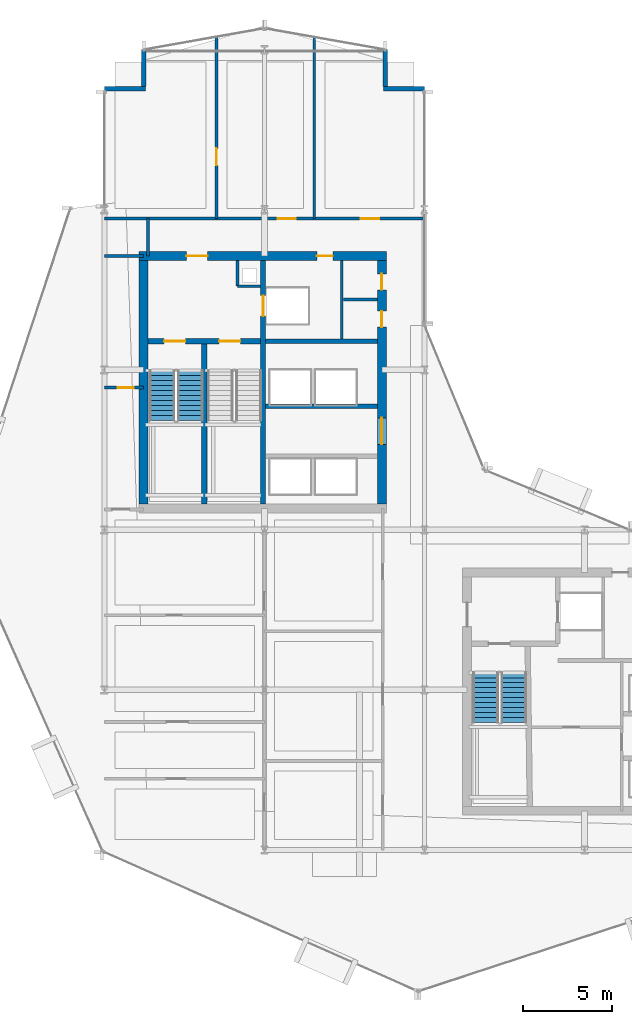
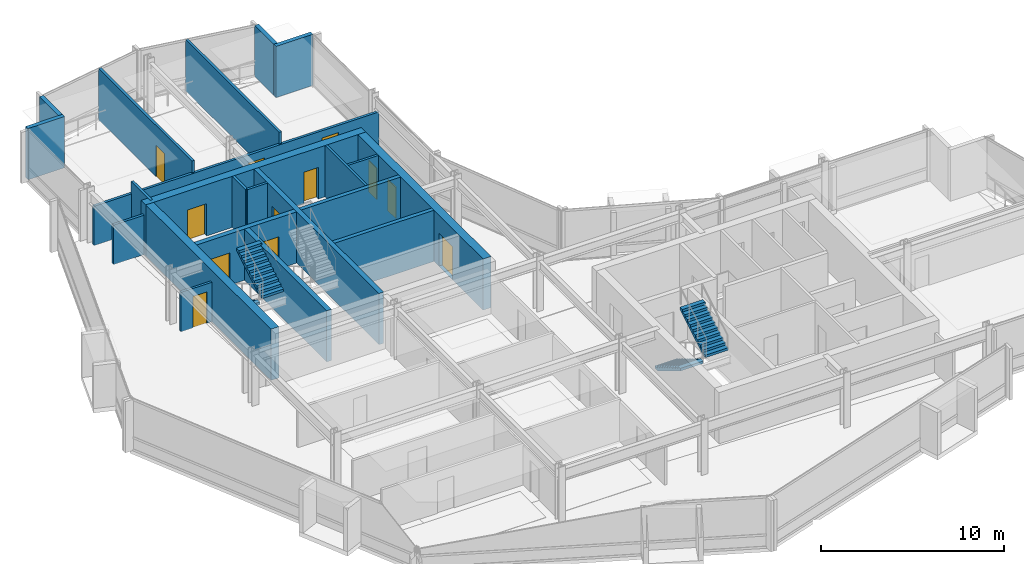
# One storey, part 23 of 29: 22 walls, 12 doors, 4 stair flights, 12 openings, 2 elements without a shape of their own.
"""IFC4 building model written with IfcOpenShell, lengths in metres."""

from ifc_helpers import new_model, si_unit, direction, frame, frame_2d, origin, place, context, subcontext, project, spatial, polyline, rectangle, outline, extrude, material, layer, layer_set, type_object, element, fill, aggregate, save


model = new_model("IFC4")

# Units and contexts
model_context = context("Model", 3, precision=1e-05, world=origin(), true_north=direction((0.0, 1.0)))
body_context = subcontext(model_context, "Body", "Model", "MODEL_VIEW")
ifc_project = project(units=[si_unit("LENGTHUNIT", "METRE"), si_unit("AREAUNIT", "SQUARE_METRE"), si_unit("VOLUMEUNIT", "CUBIC_METRE"), si_unit("PLANEANGLEUNIT", "RADIAN"), si_unit("MASSUNIT", "GRAM", prefix="KILO")], contexts=[model_context])

# Site, building, storey
site_placement = place(None, origin())
site = spatial("IfcSite", under=ifc_project, at=site_placement, CompositionType="ELEMENT")
building_placement = place(site_placement, origin())
building = spatial("IfcBuilding", under=site, at=building_placement, Name="Solvaryn Broadcast Tower", CompositionType="ELEMENT")
storey_placement = place(building_placement, frame((0.0, 0.0, 128.5)))
storey = spatial("IfcBuildingStorey", under=building, at=storey_placement, Name="L31", CompositionType="ELEMENT", Elevation=128.5)

# Wall, openings, doors
ifc_material_1 = material(Name="Concrete f'c 70 MPa", Category="concrete")
ifc_layer_1 = layer(ifc_material_1, 0.5)
ifc_layer_set_1 = layer_set([ifc_layer_1], Name="CW-SHEAR-500")
wall_type_1 = type_object("IfcWallType", Name="CW-SHEAR-500", PredefinedType="SHEAR", material=ifc_layer_set_1)
wall_1_placement = place(storey_placement, frame((24.85009765625, 42.39990234375, 0.0), z_axis=(0.0, 0.0, 1.0), x_axis=(-1.0, 0.0, 0.0)))
wall_1 = element("IfcWall", 1, at=wall_1_placement, inside=storey, type_object=wall_type_1, Name="L31 West Core North Shear Wall", PredefinedType="SHEAR", context=body_context, shape_type="SweptSolid", body=[
    extrude(rectangle(XDim=13.900146484375, YDim=0.5, at=frame_2d((6.9501953125, 0.0))), origin(), (0.0, 0.0, 1.0), 3.419921875),
])
opening_1_placement = place(wall_1_placement, frame((10.050048828125, 0.0, 0.0)))
opening_1 = element("IfcOpeningElement", 2, at=opening_1_placement, cuts=wall_1, Name="Opening FD90A", PredefinedType="OPENING", context=body_context, shape_type="SweptSolid", body=[
    extrude(rectangle(XDim=1.199951171875, YDim=2.14990234375, at=frame_2d((0.60009765625, 1.074951171875))), frame((0.0, 0.260009765625, 0.0), z_axis=(0.0, -1.0, 0.0), x_axis=(1.0, 0.0, 0.0)), (0.0, 0.0, 1.0), 0.52001953125),
])
opening_2_placement = place(wall_1_placement, frame((3.0, 0.0, 0.0)))
opening_2 = element("IfcOpeningElement", 3, at=opening_2_placement, cuts=wall_1, Name="Opening FD60C", PredefinedType="OPENING", context=body_context, shape_type="SweptSolid", body=[
    extrude(rectangle(XDim=0.89990234375, YDim=2.10009765625, at=frame_2d((0.449951171875, 1.050048828125))), frame((0.0, 0.260009765625, 0.0), z_axis=(0.0, -1.0, 0.0), x_axis=(1.0, 0.0, 0.0)), (0.0, 0.0, 1.0), 0.52001953125),
])
ifc_material_2 = material(Name="Flush Acoustic Steel and Timber Door Assembly", Category="steel")
door_type_1 = type_object("IfcDoorType", Name="FD60-SERV-900X2100", OperationType="NOTDEFINED", PredefinedType="DOOR", material=ifc_material_2)
door_1_placement = place(opening_2_placement, origin())
door_1 = element("IfcDoor", 4, at=door_1_placement, inside=storey, type_object=door_type_1, Name="L31 West Core Fiber Riser Door", OperationType="SINGLE_SWING_RIGHT", OverallHeight=2.10009765625, OverallWidth=0.89990234375, PredefinedType="DOOR", context=body_context, shape_type="SweptSolid", body=[
    extrude(rectangle(XDim=0.89990234375, YDim=2.10009765625, at=frame_2d((0.449951171875, 1.050048828125))), frame((0.0, 0.02490234375, 0.0), z_axis=(0.0, -1.0, 0.0), x_axis=(1.0, 0.0, 0.0)), (0.0, 0.0, 1.0), 0.050048828125),
])
fill(opening_2, door_1)
ifc_material_3 = material(Name="Flush Acoustic Steel and Timber Door Assembly", Category="steel")
door_type_2 = type_object("IfcDoorType", Name="FD90-STAIR-1200X2150", OperationType="NOTDEFINED", PredefinedType="DOOR", material=ifc_material_3)
door_2_placement = place(opening_1_placement, origin())
door_2 = element("IfcDoor", 5, at=door_2_placement, inside=storey, type_object=door_type_2, Name="L31 West FSAE Lobby Corridor Door", OperationType="SINGLE_SWING_LEFT", OverallHeight=2.14990234375, OverallWidth=1.199951171875, PredefinedType="DOOR", context=body_context, shape_type="SweptSolid", body=[
    extrude(rectangle(XDim=1.199951171875, YDim=2.14990234375, at=frame_2d((0.60009765625, 1.074951171875))), frame((0.0, 0.02490234375, 0.0), z_axis=(0.0, -1.0, 0.0), x_axis=(1.0, 0.0, 0.0)), (0.0, 0.0, 1.0), 0.050048828125),
])
fill(opening_1, door_2)

# Wall
wall_2_placement = place(storey_placement, frame((11.199951171875, 42.14990234375, 0.0), z_axis=(0.0, 0.0, 1.0), x_axis=(0.0, -1.0, 0.0)))
element("IfcWall", 6, at=wall_2_placement, inside=storey, type_object=wall_type_1, Name="L31 West Core West Shear Wall", PredefinedType="SHEAR", context=body_context, shape_type="SweptSolid", body=[
    extrude(rectangle(XDim=13.699951171875, YDim=0.5, at=frame_2d((6.85009765625, 0.0))), origin(), (0.0, 0.0, 1.0), 3.419921875),
])

# Wall, openings, doors
wall_3_placement = place(storey_placement, frame((24.60009765625, 28.449951171875, 0.0), z_axis=(0.0, 0.0, 1.0), x_axis=(0.0, 1.0, 0.0)))
wall_3 = element("IfcWall", 7, at=wall_3_placement, inside=storey, type_object=wall_type_1, Name="L31 West Core East Shear Wall", PredefinedType="SHEAR", context=body_context, shape_type="SweptSolid", body=[
    extrude(rectangle(XDim=13.699951171875, YDim=0.5, at=frame_2d((6.85009765625, 0.0))), origin(), (0.0, 0.0, 1.0), 3.419921875),
])
opening_3_placement = place(wall_3_placement, frame((3.35009765625, 0.0, 0.0)))
opening_3 = element("IfcOpeningElement", 8, at=opening_3_placement, cuts=wall_3, Name="Opening FD60A", PredefinedType="OPENING", context=body_context, shape_type="SweptSolid", body=[
    extrude(rectangle(XDim=1.5, YDim=2.199951171875, at=frame_2d((0.75, 1.10009765625))), frame((0.0, 0.260009765625, 0.0), z_axis=(0.0, -1.0, 0.0), x_axis=(1.0, 0.0, 0.0)), (0.0, 0.0, 1.0), 0.52001953125),
])
opening_4_placement = place(wall_3_placement, frame((9.949951171875, 0.0, 0.0)))
opening_4 = element("IfcOpeningElement", 9, at=opening_4_placement, cuts=wall_3, Name="Opening FD60C", PredefinedType="OPENING", context=body_context, shape_type="SweptSolid", body=[
    extrude(rectangle(XDim=0.89990234375, YDim=2.10009765625, at=frame_2d((0.449951171875, 1.050048828125))), frame((0.0, 0.260009765625, 0.0), z_axis=(0.0, -1.0, 0.0), x_axis=(1.0, 0.0, 0.0)), (0.0, 0.0, 1.0), 0.52001953125),
])
opening_5_placement = place(wall_3_placement, frame((12.050048828125, 0.0, 0.0)))
opening_5 = element("IfcOpeningElement", 10, at=opening_5_placement, cuts=wall_3, Name="Opening FD60C", PredefinedType="OPENING", context=body_context, shape_type="SweptSolid", body=[
    extrude(rectangle(XDim=0.89990234375, YDim=2.10009765625, at=frame_2d((0.449951171875, 1.050048828125))), frame((0.0, 0.260009765625, 0.0), z_axis=(0.0, -1.0, 0.0), x_axis=(1.0, 0.0, 0.0)), (0.0, 0.0, 1.0), 0.52001953125),
])
ifc_material_4 = material(Name="Flush Acoustic Steel and Timber Door Assembly", Category="steel")
door_type_3 = type_object("IfcDoorType", Name="FD60-CORR-1500X2200", OperationType="NOTDEFINED", PredefinedType="DOOR", material=ifc_material_4)
door_3_placement = place(opening_3_placement, origin())
door_3 = element("IfcDoor", 11, at=door_3_placement, inside=storey, type_object=door_type_3, Name="L31 West Elevator Lobby Corridor Door", OperationType="DOUBLE_DOOR_SINGLE_SWING", OverallHeight=2.199951171875, OverallWidth=1.5, PredefinedType="DOOR", context=body_context, shape_type="SweptSolid", body=[
    extrude(rectangle(XDim=1.5, YDim=2.199951171875, at=frame_2d((0.75, 1.10009765625))), frame((0.0, 0.02490234375, 0.0), z_axis=(0.0, -1.0, 0.0), x_axis=(1.0, 0.0, 0.0)), (0.0, 0.0, 1.0), 0.050048828125),
])
fill(opening_3, door_3)
door_4_placement = place(opening_4_placement, origin())
door_4 = element("IfcDoor", 12, at=door_4_placement, inside=storey, type_object=door_type_1, Name="L31 West Core Service Door 1", OperationType="SINGLE_SWING_LEFT", OverallHeight=2.10009765625, OverallWidth=0.89990234375, PredefinedType="DOOR", context=body_context, shape_type="SweptSolid", body=[
    extrude(rectangle(XDim=0.89990234375, YDim=2.10009765625, at=frame_2d((0.449951171875, 1.050048828125))), frame((0.0, 0.02490234375, 0.0), z_axis=(0.0, -1.0, 0.0), x_axis=(1.0, 0.0, 0.0)), (0.0, 0.0, 1.0), 0.050048828125),
])
fill(opening_4, door_4)
door_5_placement = place(opening_5_placement, origin())
door_5 = element("IfcDoor", 13, at=door_5_placement, inside=storey, type_object=door_type_1, Name="L31 West Core Janitor Door", OperationType="SINGLE_SWING_RIGHT", OverallHeight=2.10009765625, OverallWidth=0.89990234375, PredefinedType="DOOR", context=body_context, shape_type="SweptSolid", body=[
    extrude(rectangle(XDim=0.89990234375, YDim=2.10009765625, at=frame_2d((0.449951171875, 1.050048828125))), frame((0.0, 0.02490234375, 0.0), z_axis=(0.0, -1.0, 0.0), x_axis=(1.0, 0.0, 0.0)), (0.0, 0.0, 1.0), 0.050048828125),
])
fill(opening_5, door_5)

# Walls
ifc_material_5 = material(Name="Concrete f'c 50 MPa", Category="concrete")
ifc_layer_2 = layer(ifc_material_5, 0.260009765625)
ifc_layer_set_2 = layer_set([ifc_layer_2], Name="EW-PIER-260")
wall_type_2 = type_object("IfcWallType", Name="EW-PIER-260", PredefinedType="SOLIDWALL", material=ifc_layer_set_2)
wall_4_placement = place(storey_placement, frame((9.0, 51.800048828125, 0.0), z_axis=(0.0, 0.0, 1.0), x_axis=(1.0, 0.0, 0.0)))
element("IfcWall", 14, at=wall_4_placement, inside=storey, type_object=wall_type_2, Name="L31 Notched Corner Pier Wall NNW1", PredefinedType="SOLIDWALL", context=body_context, shape_type="SweptSolid", body=[
    extrude(rectangle(XDim=2.320068359375, YDim=0.260009765625, at=frame_2d((1.16015625, 0.0))), origin(), (0.0, 0.0, 1.0), 3.419921875),
])
for number, where, z_axis, x_axis, name in (
    (15, (11.199951171875, 51.919921875, 0.0), (0.0, 0.0, 1.0), (0.0, 1.0, 0.0), "L31 Notched Corner Pier Wall NNW2"),
    (16, (24.800048828125, 54.0, 0.0), (0.0, 0.0, 1.0), (0.0, -1.0, 0.0), "L31 Notched Corner Pier Wall NNE1"),
):
    element("IfcWall", number, at=place(storey_placement, frame(where, z_axis=z_axis, x_axis=x_axis)), inside=storey, type_object=wall_type_2, Name=name, PredefinedType="SOLIDWALL", context=body_context, shape_type="SweptSolid", body=[
        extrude(rectangle(XDim=2.080078125, YDim=0.260009765625, at=frame_2d((1.0400390625, 0.0))), origin(), (0.0, 0.0, 1.0), 3.419921875),
    ])
wall_5_placement = place(storey_placement, frame((24.679931640625, 51.800048828125, 0.0), z_axis=(0.0, 0.0, 1.0), x_axis=(1.0, 0.0, 0.0)))
element("IfcWall", 17, at=wall_5_placement, inside=storey, type_object=wall_type_2, Name="L31 Notched Corner Pier Wall NNE2", PredefinedType="SOLIDWALL", context=body_context, shape_type="SweptSolid", body=[
    extrude(rectangle(XDim=2.320068359375, YDim=0.260009765625, at=frame_2d((1.16015625, 0.0))), origin(), (0.0, 0.0, 1.0), 3.419921875),
])
ifc_material_6 = material(Name="Metal-Stud Service Core Partition")
ifc_layer_3 = layer(ifc_material_6, 0.14990234375)
ifc_layer_set_3 = layer_set([ifc_layer_3], Name="IW-PART-150")
wall_type_3 = type_object("IfcWallType", Name="IW-PART-150", PredefinedType="PARTITIONING", material=ifc_layer_set_3)
wall_6_placement = place(storey_placement, frame((16.47998046875, 40.699951171875, 0.0), z_axis=(0.0, 0.0, 1.0), x_axis=(1.0, 0.0, 0.0)))
element("IfcWall", 18, at=wall_6_placement, inside=storey, type_object=wall_type_3, Name="L31 West Core Riser Shaft South Wall", PredefinedType="PARTITIONING", context=body_context, shape_type="SweptSolid", body=[
    extrude(rectangle(XDim=1.2900390625, YDim=0.14990234375, at=frame_2d((0.64501953125, 0.0))), origin(), (0.0, 0.0, 1.0), 3.419921875),
])
wall_7_placement = place(storey_placement, frame((16.47998046875, 40.699951171875, 0.0), z_axis=(0.0, 0.0, 1.0), x_axis=(0.0, 1.0, 0.0)))
element("IfcWall", 19, at=wall_7_placement, inside=storey, type_object=wall_type_3, Name="L31 West Core Riser Shaft West Wall", PredefinedType="PARTITIONING", context=body_context, shape_type="SweptSolid", body=[
    extrude(rectangle(XDim=1.449951171875, YDim=0.14990234375, at=frame_2d((0.72509765625, 0.0))), origin(), (0.0, 0.0, 1.0), 3.419921875),
])
wall_8_placement = place(storey_placement, frame((22.35009765625, 37.72998046875, 0.0), z_axis=(0.0, 0.0, 1.0), x_axis=(0.0, 1.0, 0.0)))
element("IfcWall", 20, at=wall_8_placement, inside=storey, type_object=wall_type_3, Name="L31 Interior Partition IW-L31-CWS-V", PredefinedType="PARTITIONING", context=body_context, shape_type="SweptSolid", body=[
    extrude(rectangle(XDim=4.419921875, YDim=0.14990234375, at=frame_2d((2.2099609375, 0.0))), origin(), (0.0, 0.0, 1.0), 3.419921875),
])
wall_9_placement = place(storey_placement, frame((22.429931640625, 39.949951171875, 0.0), z_axis=(0.0, 0.0, 1.0), x_axis=(1.0, 0.0, 0.0)))
element("IfcWall", 21, at=wall_9_placement, inside=storey, type_object=wall_type_3, Name="L31 Interior Partition IW-L31-CWS-H", PredefinedType="PARTITIONING", context=body_context, shape_type="SweptSolid", body=[
    extrude(rectangle(XDim=1.920166015625, YDim=0.14990234375, at=frame_2d((0.9599609375, 0.0))), origin(), (0.0, 0.0, 1.0), 3.419921875),
])

# Wall, opening, door
wall_10_placement = place(storey_placement, frame((9.0, 35.0, 0.0), z_axis=(0.0, 0.0, 1.0), x_axis=(1.0, 0.0, 0.0)))
wall_10 = element("IfcWall", 22, at=wall_10_placement, inside=storey, type_object=wall_type_3, Name="L31 Interior Partition IW-L31-WM-M", PredefinedType="PARTITIONING", context=body_context, shape_type="SweptSolid", body=[
    extrude(rectangle(XDim=2.199951171875, YDim=0.14990234375, at=frame_2d((1.10009765625, 0.0))), origin(), (0.0, 0.0, 1.0), 2.634033203125),
])
opening_6_placement = place(wall_10_placement, frame((0.75, 0.0, 0.0)))
opening_6 = element("IfcOpeningElement", 23, at=opening_6_placement, cuts=wall_10, Name="Opening FD60C", PredefinedType="OPENING", context=body_context, shape_type="SweptSolid", body=[
    extrude(rectangle(XDim=0.89990234375, YDim=2.10009765625, at=frame_2d((0.449951171875, 1.050048828125))), frame((0.0, 0.0849609375, 0.0), z_axis=(0.0, -1.0, 0.0), x_axis=(1.0, 0.0, 0.0)), (0.0, 0.0, 1.0), 0.169921875),
])
door_6_placement = place(opening_6_placement, origin())
door_6 = element("IfcDoor", 24, at=door_6_placement, inside=storey, type_object=door_type_1, Name="L31 Door DR-L31-WM1", OperationType="SINGLE_SWING_RIGHT", OverallHeight=2.10009765625, OverallWidth=0.89990234375, PredefinedType="DOOR", context=body_context, shape_type="SweptSolid", body=[
    extrude(rectangle(XDim=0.89990234375, YDim=2.10009765625, at=frame_2d((0.449951171875, 1.050048828125))), frame((0.0, 0.02490234375, 0.0), z_axis=(0.0, -1.0, 0.0), x_axis=(1.0, 0.0, 0.0)), (0.0, 0.0, 1.0), 0.050048828125),
])
fill(opening_6, door_6)

# Walls
ifc_material_7 = material(Name="Metal-Stud Gypsum Office Partition")
ifc_layer_4 = layer(ifc_material_7, 0.159912109375)
ifc_layer_set_4 = layer_set([ifc_layer_4], Name="IW-PART-160")
wall_type_4 = type_object("IfcWallType", Name="IW-PART-160", PredefinedType="PARTITIONING", material=ifc_layer_set_4)
wall_11_placement = place(storey_placement, frame((9.0, 42.39990234375, 0.0), z_axis=(0.0, 0.0, 1.0), x_axis=(1.0, 0.0, 0.0)))
element("IfcWall", 25, at=wall_11_placement, inside=storey, type_object=wall_type_4, Name="L31 Interior Partition IW-L31-WM-N", PredefinedType="PARTITIONING", context=body_context, shape_type="SweptSolid", body=[
    extrude(rectangle(XDim=2.199951171875, YDim=0.159912109375, at=frame_2d((1.10009765625, 0.0))), origin(), (0.0, 0.0, 1.0), 2.634033203125),
])
wall_12_placement = place(storey_placement, frame((11.449951171875, 42.39990234375, 0.0), z_axis=(0.0, 0.0, 1.0), x_axis=(0.0, 1.0, 0.0)))
element("IfcWall", 26, at=wall_12_placement, inside=storey, type_object=wall_type_4, Name="L31 Interior Partition IW-L31-WM-E", PredefinedType="PARTITIONING", context=body_context, shape_type="SweptSolid", body=[
    extrude(rectangle(XDim=2.10009765625, YDim=0.159912109375, at=frame_2d((1.050048828125, 0.0))), origin(), (0.0, 0.0, 1.0), 3.419921875),
])

# Wall, openings, doors
wall_13_placement = place(storey_placement, frame((9.0, 44.5, 0.0), z_axis=(0.0, 0.0, 1.0), x_axis=(1.0, 0.0, 0.0)))
wall_13 = element("IfcWall", 27, at=wall_13_placement, inside=storey, type_object=wall_type_4, Name="L31 Interior Partition IW-L31-NW-SB", PredefinedType="PARTITIONING", context=body_context, shape_type="SweptSolid", body=[
    extrude(rectangle(XDim=18.0, YDim=0.159912109375, at=frame_2d((9.0, 0.0))), origin(), (0.0, 0.0, 1.0), 2.634033203125),
])
opening_7_placement = place(wall_13_placement, frame((9.75, 0.0, 0.0)))
opening_7 = element("IfcOpeningElement", 28, at=opening_7_placement, cuts=wall_13, Name="Opening ID02", PredefinedType="OPENING", context=body_context, shape_type="SweptSolid", body=[
    extrude(rectangle(XDim=1.0, YDim=2.10009765625, at=frame_2d((0.5, 1.050048828125))), frame((0.0, 0.090087890625, 0.0), z_axis=(0.0, -1.0, 0.0), x_axis=(1.0, 0.0, 0.0)), (0.0, 0.0, 1.0), 0.179931640625),
])
opening_8_placement = place(wall_13_placement, frame((14.39990234375, 0.0, 0.0)))
opening_8 = element("IfcOpeningElement", 29, at=opening_8_placement, cuts=wall_13, Name="Opening ID03", PredefinedType="OPENING", context=body_context, shape_type="SweptSolid", body=[
    extrude(rectangle(XDim=1.050048828125, YDim=2.14990234375, at=frame_2d((0.52490234375, 1.074951171875))), frame((0.0, 0.090087890625, 0.0), z_axis=(0.0, -1.0, 0.0), x_axis=(1.0, 0.0, 0.0)), (0.0, 0.0, 1.0), 0.179931640625),
])
ifc_material_8 = material(Name="Flush Acoustic Steel and Timber Door Assembly", Category="steel")
door_type_4 = type_object("IfcDoorType", Name="ID-02-1000X2100", OperationType="NOTDEFINED", PredefinedType="DOOR", material=ifc_material_8)
door_7_placement = place(opening_7_placement, origin())
door_7 = element("IfcDoor", 30, at=door_7_placement, inside=storey, type_object=door_type_4, Name="L31 Door DR-L31-NW-2", OperationType="SINGLE_SWING_RIGHT", OverallHeight=2.10009765625, OverallWidth=1.0, PredefinedType="DOOR", context=body_context, shape_type="SweptSolid", body=[
    extrude(rectangle(XDim=1.0, YDim=2.10009765625, at=frame_2d((0.5, 1.050048828125))), frame((0.0, 0.02490234375, 0.0), z_axis=(0.0, -1.0, 0.0), x_axis=(1.0, 0.0, 0.0)), (0.0, 0.0, 1.0), 0.050048828125),
])
fill(opening_7, door_7)
ifc_material_9 = material(Name="Flush Acoustic Steel and Timber Door Assembly", Category="steel")
door_type_5 = type_object("IfcDoorType", Name="ID-03-1050X2150", OperationType="NOTDEFINED", PredefinedType="DOOR", material=ifc_material_9)
door_8_placement = place(opening_8_placement, origin())
door_8 = element("IfcDoor", 31, at=door_8_placement, inside=storey, type_object=door_type_5, Name="L31 Door DR-L31-NW-3", OperationType="SINGLE_SWING_LEFT", OverallHeight=2.14990234375, OverallWidth=1.050048828125, PredefinedType="DOOR", context=body_context, shape_type="SweptSolid", body=[
    extrude(rectangle(XDim=1.050048828125, YDim=2.14990234375, at=frame_2d((0.52490234375, 1.074951171875))), frame((0.0, 0.02490234375, 0.0), z_axis=(0.0, -1.0, 0.0), x_axis=(1.0, 0.0, 0.0)), (0.0, 0.0, 1.0), 0.050048828125),
])
fill(opening_8, door_8)

# Wall, opening, door
wall_14_placement = place(storey_placement, frame((15.300048828125, 44.5, 0.0), z_axis=(0.0, 0.0, 1.0), x_axis=(0.0, 1.0, 0.0)))
wall_14 = element("IfcWall", 32, at=wall_14_placement, inside=storey, type_object=wall_type_4, Name="L31 Interior Partition IW-L31-NW-V1", PredefinedType="PARTITIONING", context=body_context, shape_type="SweptSolid", body=[
    extrude(rectangle(XDim=10.22412109375, YDim=0.159912109375, at=frame_2d((5.112060546875, 0.0))), origin(), (0.0, 0.0, 1.0), 3.419921875),
])
opening_9_placement = place(wall_14_placement, frame((3.0, 0.0, 0.0)))
opening_9 = element("IfcOpeningElement", 33, at=opening_9_placement, cuts=wall_14, Name="Opening ID01", PredefinedType="OPENING", context=body_context, shape_type="SweptSolid", body=[
    extrude(rectangle(XDim=0.949951171875, YDim=2.10009765625, at=frame_2d((0.47509765625, 1.050048828125))), frame((0.0, 0.090087890625, 0.0), z_axis=(0.0, -1.0, 0.0), x_axis=(1.0, 0.0, 0.0)), (0.0, 0.0, 1.0), 0.179931640625),
])
ifc_material_10 = material(Name="Flush Acoustic Steel and Timber Door Assembly", Category="steel")
door_type_6 = type_object("IfcDoorType", Name="ID-01-950X2100", OperationType="NOTDEFINED", PredefinedType="DOOR", material=ifc_material_10)
door_9_placement = place(opening_9_placement, origin())
door_9 = element("IfcDoor", 34, at=door_9_placement, inside=storey, type_object=door_type_6, Name="L31 Door DR-L31-NW-C1", OperationType="SINGLE_SWING_LEFT", OverallHeight=2.10009765625, OverallWidth=0.949951171875, PredefinedType="DOOR", context=body_context, shape_type="SweptSolid", body=[
    extrude(rectangle(XDim=0.949951171875, YDim=2.10009765625, at=frame_2d((0.47509765625, 1.050048828125))), frame((0.0, 0.02490234375, 0.0), z_axis=(0.0, -1.0, 0.0), x_axis=(1.0, 0.0, 0.0)), (0.0, 0.0, 1.0), 0.050048828125),
])
fill(opening_9, door_9)

# Walls
wall_15_placement = place(storey_placement, frame((20.800048828125, 44.5, 0.0), z_axis=(0.0, 0.0, 1.0), x_axis=(0.0, 1.0, 0.0)))
element("IfcWall", 35, at=wall_15_placement, inside=storey, type_object=wall_type_4, Name="L31 Interior Partition IW-L31-NW-V2", PredefinedType="PARTITIONING", context=body_context, shape_type="SweptSolid", body=[
    extrude(rectangle(XDim=10.2060546875, YDim=0.159912109375, at=frame_2d((5.10302734375, 0.0))), origin(), (0.0, 0.0, 1.0), 3.419921875),
])
ifc_material_11 = material(Name="Concrete f'c 60 MPa", Category="concrete")
ifc_layer_5 = layer(ifc_material_11, 0.25)
ifc_layer_set_5 = layer_set([ifc_layer_5], Name="SW-SHAFT-250")
wall_type_5 = type_object("IfcWallType", Name="SW-SHAFT-250", PredefinedType="PARTITIONING", material=ifc_layer_set_5)
for number, where, z_axis, x_axis, name in (
    (36, (18.070068359375, 37.60009765625, 0.0), (0.0, 0.0, 1.0), (1.0, 0.0, 0.0), "L31 West Core FSAE Hoistway Front Wall"),
    (37, (24.35009765625, 33.949951171875, 0.0), (0.0, 0.0, 1.0), (-1.0, 0.0, 0.0), "L31 High-Rise Lift Bank North Wall"),
):
    element("IfcWall", number, at=place(storey_placement, frame(where, z_axis=z_axis, x_axis=x_axis)), inside=storey, type_object=wall_type_5, Name=name, PredefinedType="PARTITIONING", context=body_context, shape_type="SweptSolid", body=[
        extrude(rectangle(XDim=6.280029296875, YDim=0.25, at=frame_2d((3.14013671875, 0.0))), origin(), (0.0, 0.0, 1.0), 3.419921875),
    ])
ifc_material_12 = material(Name="Concrete f'c 70 MPa", Category="concrete")
ifc_layer_6 = layer(ifc_material_12, 0.300048828125)
ifc_layer_set_6 = layer_set([ifc_layer_6], Name="SW-SHAFT-300")
wall_type_6 = type_object("IfcWallType", Name="SW-SHAFT-300", PredefinedType="SHEAR", material=ifc_layer_set_6)
wall_16_placement = place(storey_placement, frame((14.6201171875, 28.449951171875, 0.0), z_axis=(0.0, 0.0, 1.0), x_axis=(0.0, 1.0, 0.0)))
element("IfcWall", 38, at=wall_16_placement, inside=storey, type_object=wall_type_6, Name="L31 Stair 1-2 Dividing Wall", PredefinedType="SHEAR", context=body_context, shape_type="SweptSolid", body=[
    extrude(rectangle(XDim=9.0, YDim=0.300048828125, at=frame_2d((4.5, 0.0))), origin(), (0.0, 0.0, 1.0), 3.419921875),
])

# Wall, opening, door
wall_17_placement = place(storey_placement, frame((17.919921875, 42.14990234375, 0.0), z_axis=(0.0, 0.0, 1.0), x_axis=(0.0, -1.0, 0.0)))
wall_17 = element("IfcWall", 39, at=wall_17_placement, inside=storey, type_object=wall_type_6, Name="L31 West Core Stair-Lobby Shear Wall", PredefinedType="SHEAR", context=body_context, shape_type="SweptSolid", body=[
    extrude(rectangle(XDim=13.699951171875, YDim=0.300048828125, at=frame_2d((6.85009765625, 0.0))), origin(), (0.0, 0.0, 1.0), 3.419921875),
])
opening_10_placement = place(wall_17_placement, frame((1.97509765625, 0.0, 0.0)))
opening_10 = element("IfcOpeningElement", 40, at=opening_10_placement, cuts=wall_17, Name="Opening LD01", PredefinedType="OPENING", context=body_context, shape_type="SweptSolid", body=[
    extrude(rectangle(XDim=1.14990234375, YDim=2.14990234375, at=frame_2d((0.574951171875, 1.074951171875))), frame((0.0, 0.159912109375, 0.0), z_axis=(0.0, -1.0, 0.0), x_axis=(1.0, 0.0, 0.0)), (0.0, 0.0, 1.0), 0.320068359375),
])
ifc_material_13 = material(Name="Flush Acoustic Steel and Timber Door Assembly", Category="steel")
door_type_7 = type_object("IfcDoorType", Name="LD-LIFT-1150X2150", OperationType="NOTDEFINED", PredefinedType="DOOR", material=ifc_material_13)
door_10_placement = place(opening_10_placement, origin())
door_10 = element("IfcDoor", 41, at=door_10_placement, inside=storey, type_object=door_type_7, Name="L31 FL1 Lift Landing Door", OperationType="DOUBLE_DOOR_SLIDING", OverallHeight=2.14990234375, OverallWidth=1.14990234375, PredefinedType="DOOR", context=body_context, shape_type="SweptSolid", body=[
    extrude(rectangle(XDim=1.14990234375, YDim=2.14990234375, at=frame_2d((0.574951171875, 1.074951171875))), frame((0.0, 0.02490234375, 0.0), z_axis=(0.0, -1.0, 0.0), x_axis=(1.0, 0.0, 0.0)), (0.0, 0.0, 1.0), 0.050048828125),
])
fill(opening_10, door_10)

# Wall, openings, doors
wall_18_placement = place(storey_placement, frame((17.77001953125, 37.60009765625, 0.0), z_axis=(0.0, 0.0, 1.0), x_axis=(-1.0, 0.0, 0.0)))
wall_18 = element("IfcWall", 42, at=wall_18_placement, inside=storey, type_object=wall_type_6, Name="L31 West Core FSAE Lobby South Wall", PredefinedType="SHEAR", context=body_context, shape_type="SweptSolid", body=[
    extrude(rectangle(XDim=6.320068359375, YDim=0.300048828125, at=frame_2d((3.16015625, 0.0))), origin(), (0.0, 0.0, 1.0), 3.419921875),
])
opening_11_placement = place(wall_18_placement, frame((4.219970703125, 0.0, 0.0)))
opening_11 = element("IfcOpeningElement", 43, at=opening_11_placement, cuts=wall_18, Name="Opening FD90A", PredefinedType="OPENING", context=body_context, shape_type="SweptSolid", body=[
    extrude(rectangle(XDim=1.199951171875, YDim=2.14990234375, at=frame_2d((0.60009765625, 1.074951171875))), frame((0.0, 0.159912109375, 0.0), z_axis=(0.0, -1.0, 0.0), x_axis=(1.0, 0.0, 0.0)), (0.0, 0.0, 1.0), 0.320068359375),
])
opening_12_placement = place(wall_18_placement, frame((1.1201171875, 0.0, 0.0)))
opening_12 = element("IfcOpeningElement", 44, at=opening_12_placement, cuts=wall_18, Name="Opening FD90A", PredefinedType="OPENING", context=body_context, shape_type="SweptSolid", body=[
    extrude(rectangle(XDim=1.199951171875, YDim=2.14990234375, at=frame_2d((0.60009765625, 1.074951171875))), frame((0.0, 0.159912109375, 0.0), z_axis=(0.0, -1.0, 0.0), x_axis=(1.0, 0.0, 0.0)), (0.0, 0.0, 1.0), 0.320068359375),
])
door_11_placement = place(opening_11_placement, origin())
door_11 = element("IfcDoor", 45, at=door_11_placement, inside=storey, type_object=door_type_2, Name="L31 Stair 1 Fire Door", OperationType="SINGLE_SWING_LEFT", OverallHeight=2.14990234375, OverallWidth=1.199951171875, PredefinedType="DOOR", context=body_context, shape_type="SweptSolid", body=[
    extrude(rectangle(XDim=1.199951171875, YDim=2.14990234375, at=frame_2d((0.60009765625, 1.074951171875))), frame((0.0, 0.02490234375, 0.0), z_axis=(0.0, -1.0, 0.0), x_axis=(1.0, 0.0, 0.0)), (0.0, 0.0, 1.0), 0.050048828125),
])
fill(opening_11, door_11)
door_12_placement = place(opening_12_placement, origin())
door_12 = element("IfcDoor", 46, at=door_12_placement, inside=storey, type_object=door_type_2, Name="L31 Stair 2 Fire Door", OperationType="SINGLE_SWING_RIGHT", OverallHeight=2.14990234375, OverallWidth=1.199951171875, PredefinedType="DOOR", context=body_context, shape_type="SweptSolid", body=[
    extrude(rectangle(XDim=1.199951171875, YDim=2.14990234375, at=frame_2d((0.60009765625, 1.074951171875))), frame((0.0, 0.02490234375, 0.0), z_axis=(0.0, -1.0, 0.0), x_axis=(1.0, 0.0, 0.0)), (0.0, 0.0, 1.0), 0.050048828125),
])
fill(opening_12, door_12)

# Stair, stair flights
ifc_material_14 = material(Name="Concrete f'c 60 MPa", Category="concrete")
stair_type = type_object("IfcStairType", Name="ST-CORE", PredefinedType="HALF_TURN_STAIR", material=ifc_material_14)
stair_1_placement = place(storey_placement, origin())
stair_1 = element("IfcStair", 47, at=stair_1_placement, inside=storey, type_object=stair_type, Name="L31 ST1", PredefinedType="HALF_TURN_STAIR")
ifc_material_15 = material(Name="Concrete f'c 60 MPa", Category="concrete")
ifc_layer_7 = layer(ifc_material_15, 0.159912109375)
ifc_layer_set_7 = layer_set([ifc_layer_7], Name="SF-CORE")
stair_flight_type = type_object("IfcStairFlightType", Name="SF-CORE", PredefinedType="STRAIGHT", material=ifc_layer_set_7)
stair_flight_1_placement = place(storey_placement, frame((12.239990234375, 35.9599609375, 0.0), z_axis=(0.0, 0.0, 1.0), x_axis=(0.0, -1.0, 0.0)))
stair_flight_1 = element("IfcStairFlight", 48, at=stair_flight_1_placement, type_object=stair_flight_type, Name="ST1 flight 1", NumberOfRisers=11, NumberOfTreads=10, PredefinedType="STRAIGHT", RiserHeight=0.168181818, TreadLength=0.28, context=body_context, shape_type="SweptSolid", body=[
    extrude(outline(polyline([(0.0, 0.0), (0.0, 0.168212890625), (0.280029296875, 0.168212890625), (0.280029296875, 0.33642578125), (0.56005859375, 0.33642578125), (0.56005859375, 0.504638671875), (0.840087890625, 0.504638671875), (0.840087890625, 0.672607421875), (1.1201171875, 0.672607421875), (1.1201171875, 0.8408203125), (1.39990234375, 0.8408203125), (1.39990234375, 1.009033203125), (1.679931640625, 1.009033203125), (1.679931640625, 1.17724609375), (1.9599609375, 1.17724609375), (1.9599609375, 1.345458984375), (2.239990234375, 1.345458984375), (2.239990234375, 1.513671875), (2.52001953125, 1.513671875), (2.52001953125, 1.681884765625), (2.800048828125, 1.681884765625), (2.800048828125, 1.85009765625), (2.800048828125, 1.5068359375), (0.291015625, 0.0), (0.0, 0.0)])), frame((0.0, 0.719970703125, 0.0), z_axis=(0.0, -1.0, 0.0), x_axis=(1.0, 0.0, 0.0)), (0.0, 0.0, 1.0), 1.43994140625),
])
stair_flight_2_placement = place(storey_placement, frame((13.830078125, 33.159912109375, 1.85009765625), z_axis=(0.0, 0.0, 1.0), x_axis=(0.0, 1.0, 0.0)))
stair_flight_2 = element("IfcStairFlight", 49, at=stair_flight_2_placement, type_object=stair_flight_type, Name="ST1 flight 2", NumberOfRisers=11, NumberOfTreads=10, PredefinedType="STRAIGHT", RiserHeight=0.168181818, TreadLength=0.28, context=body_context, shape_type="SweptSolid", body=[
    extrude(outline(polyline([(0.0, 0.0), (0.0, 0.168212890625), (0.280029296875, 0.168212890625), (0.280029296875, 0.33642578125), (0.56005859375, 0.33642578125), (0.56005859375, 0.504638671875), (0.840087890625, 0.504638671875), (0.840087890625, 0.672607421875), (1.1201171875, 0.672607421875), (1.1201171875, 0.8408203125), (1.39990234375, 0.8408203125), (1.39990234375, 1.009033203125), (1.679931640625, 1.009033203125), (1.679931640625, 1.17724609375), (1.9599609375, 1.17724609375), (1.9599609375, 1.345458984375), (2.239990234375, 1.345458984375), (2.239990234375, 1.513671875), (2.52001953125, 1.513671875), (2.52001953125, 1.681884765625), (2.800048828125, 1.681884765625), (2.800048828125, 1.85009765625), (2.800048828125, 1.5068359375), (0.291015625, 0.0), (0.0, 0.0)])), frame((0.0, 0.719970703125, 0.0), z_axis=(0.0, -1.0, 0.0), x_axis=(1.0, 0.0, 0.0)), (0.0, 0.0, 1.0), 1.43994140625),
])
aggregate(stair_1, [stair_flight_1, stair_flight_2])

stair_2_placement = place(storey_placement, origin())
stair_2 = element("IfcStair", 50, at=stair_2_placement, inside=storey, type_object=stair_type, Name="L31 ST3", PredefinedType="HALF_TURN_STAIR")
stair_flight_3_placement = place(storey_placement, frame((30.43994140625, 18.9599609375, 0.0), z_axis=(0.0, 0.0, 1.0), x_axis=(0.0, -1.0, 0.0)))
stair_flight_3 = element("IfcStairFlight", 51, at=stair_flight_3_placement, type_object=stair_flight_type, Name="ST3 flight 1", NumberOfRisers=11, NumberOfTreads=10, PredefinedType="STRAIGHT", RiserHeight=0.168181818, TreadLength=0.28, context=body_context, shape_type="SweptSolid", body=[
    extrude(outline(polyline([(0.0, 0.0), (0.0, 0.168212890625), (0.280029296875, 0.168212890625), (0.280029296875, 0.33642578125), (0.56005859375, 0.33642578125), (0.56005859375, 0.504638671875), (0.840087890625, 0.504638671875), (0.840087890625, 0.672607421875), (1.1201171875, 0.672607421875), (1.1201171875, 0.8408203125), (1.39990234375, 0.8408203125), (1.39990234375, 1.009033203125), (1.679931640625, 1.009033203125), (1.679931640625, 1.17724609375), (1.9599609375, 1.17724609375), (1.9599609375, 1.345458984375), (2.239990234375, 1.345458984375), (2.239990234375, 1.513671875), (2.52001953125, 1.513671875), (2.52001953125, 1.681884765625), (2.800048828125, 1.681884765625), (2.800048828125, 1.85009765625), (2.800048828125, 1.5068359375), (0.291015625, 0.0), (0.0, 0.0)])), frame((0.0, 0.719970703125, 0.0), z_axis=(0.0, -1.0, 0.0), x_axis=(1.0, 0.0, 0.0)), (0.0, 0.0, 1.0), 1.43994140625),
])
stair_flight_4_placement = place(storey_placement, frame((32.030029296875, 16.159912109375, 1.85009765625), z_axis=(0.0, 0.0, 1.0), x_axis=(0.0, 1.0, 0.0)))
stair_flight_4 = element("IfcStairFlight", 52, at=stair_flight_4_placement, type_object=stair_flight_type, Name="ST3 flight 2", NumberOfRisers=11, NumberOfTreads=10, PredefinedType="STRAIGHT", RiserHeight=0.168181818, TreadLength=0.28, context=body_context, shape_type="SweptSolid", body=[
    extrude(outline(polyline([(0.0, 0.0), (0.0, 0.168212890625), (0.280029296875, 0.168212890625), (0.280029296875, 0.33642578125), (0.56005859375, 0.33642578125), (0.56005859375, 0.504638671875), (0.840087890625, 0.504638671875), (0.840087890625, 0.672607421875), (1.1201171875, 0.672607421875), (1.1201171875, 0.8408203125), (1.39990234375, 0.8408203125), (1.39990234375, 1.009033203125), (1.679931640625, 1.009033203125), (1.679931640625, 1.17724609375), (1.9599609375, 1.17724609375), (1.9599609375, 1.345458984375), (2.239990234375, 1.345458984375), (2.239990234375, 1.513671875), (2.52001953125, 1.513671875), (2.52001953125, 1.681884765625), (2.800048828125, 1.681884765625), (2.800048828125, 1.85009765625), (2.800048828125, 1.5068359375), (0.291015625, 0.0), (0.0, 0.0)])), frame((0.0, 0.719970703125, 0.0), z_axis=(0.0, -1.0, 0.0), x_axis=(1.0, 0.0, 0.0)), (0.0, 0.0, 1.0), 1.43994140625),
])
aggregate(stair_2, [stair_flight_3, stair_flight_4])

save(model, "model.ifc")
